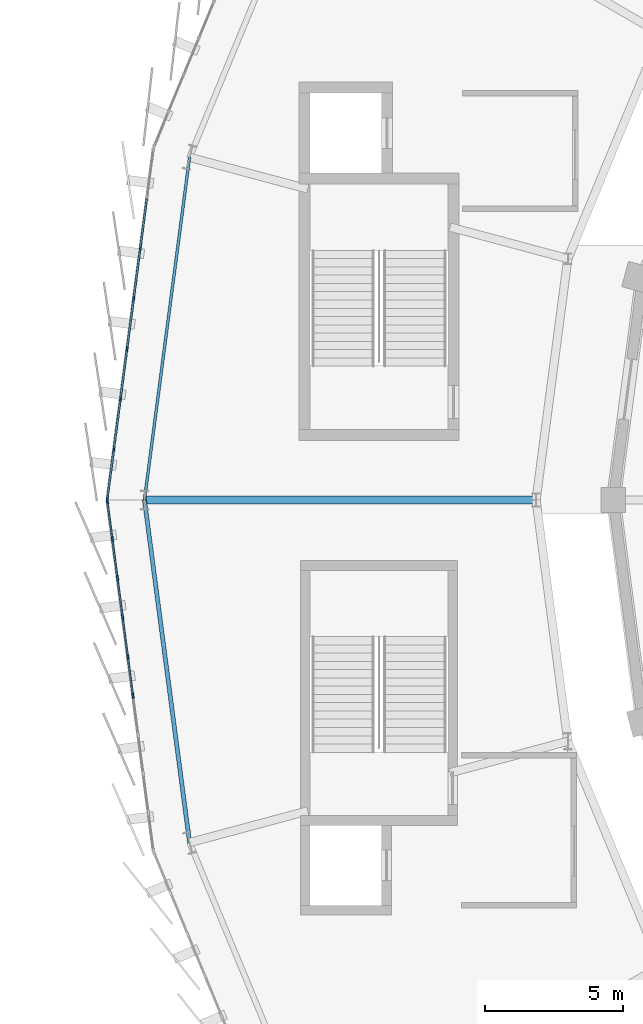
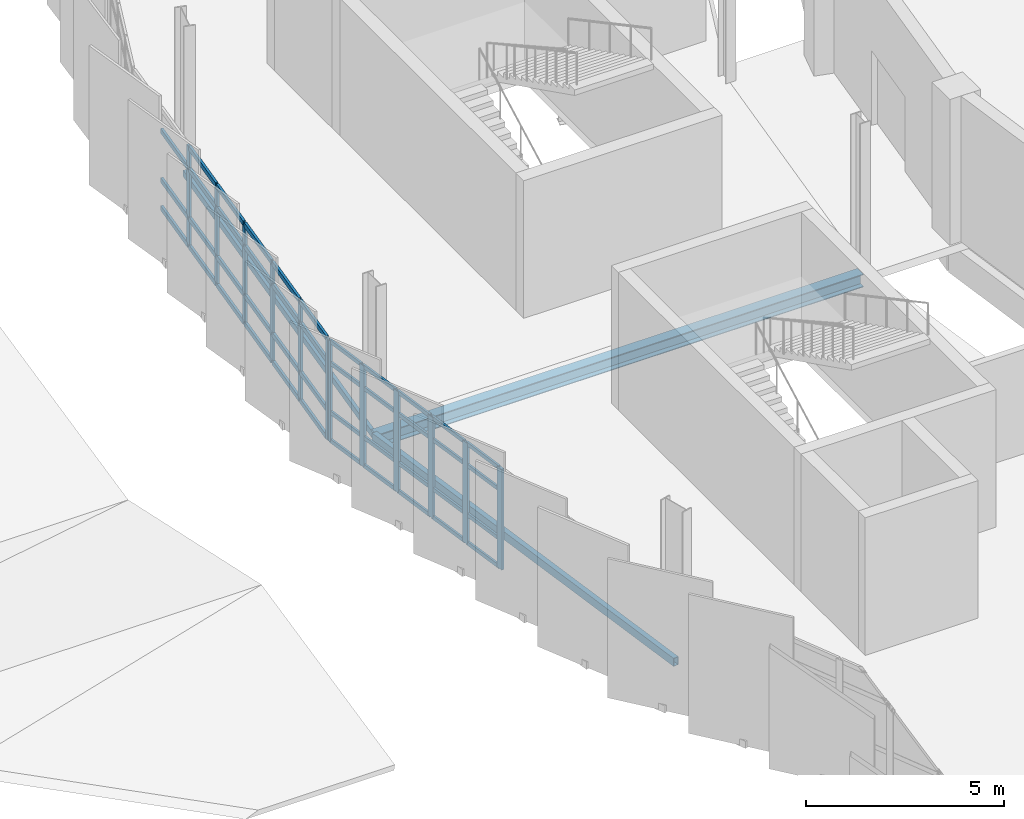
# One storey, part 27 of 87: 55 members, 3 beams, 2 elements without a shape of their own.
"""IFC4 building model written with IfcOpenShell, lengths in metres."""

import ifcopenshell
import ifcopenshell.guid

model = None  # the IFC model being written
_history = None  # IfcOwnerHistory: only IFC2X3 demands one
_inside = {}  # id of a spatial element -> (the spatial element, [elements in it])
_under = {}  # id of a project, library or spatial element -> (it, [spatial elements below it])
_declared = {}  # id of a project -> (the project, [libraries it declares])
_typed = {}  # id of a type object -> (the type object, [elements of that type])
_made_of = {}  # id of a material, layer set ... -> (it, [elements and type objects made of it])


def new_model(schema):
    """Start an empty IFC model of exactly this schema.

    Asked for "IFC4X3", IfcOpenShell would pick the latest addendum, in which some entities
    have other attributes; the version numbers below select the first issue.
    IFC2X3 requires an IfcOwnerHistory on every rooted entity: one is made here for all.
    """
    global model, _history
    if schema == "IFC4X3":
        model = ifcopenshell.file(schema_version=(4, 3, 0, 0))
    else:
        model = ifcopenshell.file(schema=schema)
    _inside.clear()
    _under.clear()
    _declared.clear()
    _typed.clear()
    _made_of.clear()
    _history = None
    if model.schema == "IFC2X3":
        org = make("IfcOrganization", Name="unknown")
        user = make(
            "IfcPersonAndOrganization",
            ThePerson=make("IfcPerson", FamilyName="unknown"),
            TheOrganization=org,
        )
        app = make(
            "IfcApplication",
            ApplicationDeveloper=org,
            Version="unknown",
            ApplicationFullName="unknown",
            ApplicationIdentifier="unknown",
        )
        _history = make(
            "IfcOwnerHistory",
            OwningUser=user,
            OwningApplication=app,
            ChangeAction="ADDED",
            CreationDate=0,
        )
    return model


def make(cls, **values):
    """One entity of the class cls with the attributes given. An attribute that is None is left unset."""
    return model.create_entity(
        cls, **{name: value for name, value in values.items() if value is not None}
    )


def rooted(cls, **values):
    """An entity with a GlobalId (a new one), such as an element, a storey or a relation."""
    return make(cls, GlobalId=ifcopenshell.guid.new(), OwnerHistory=_history, **values)


def si_unit(unit_type, name, prefix=None):
    """IfcSIUnit, for example si_unit("LENGTHUNIT", "METRE", prefix="MILLI")."""
    return make("IfcSIUnit", UnitType=unit_type, Prefix=prefix, Name=name)


def assignment(units):
    """IfcUnitAssignment: the units of a project."""
    return None if units is None else make("IfcUnitAssignment", Units=units)


def point(xyz):
    """IfcCartesianPoint."""
    return None if xyz is None else make("IfcCartesianPoint", Coordinates=xyz)


def direction(xyz):
    """IfcDirection."""
    return None if xyz is None else make("IfcDirection", DirectionRatios=xyz)


def frame(location, z_axis=None, x_axis=None):
    """IfcAxis2Placement3D, a coordinate frame: its origin and axes. An axis left out is left unset."""
    return make(
        "IfcAxis2Placement3D",
        Location=point(location),
        Axis=direction(z_axis),
        RefDirection=direction(x_axis),
    )


def frame_2d(location, x_axis=None):
    """IfcAxis2Placement2D, a coordinate frame in the plane: its origin and x axis."""
    return make(
        "IfcAxis2Placement2D", Location=point(location), RefDirection=direction(x_axis)
    )


def origin():
    """The frame at (0, 0, 0) with its axes left unset."""
    return frame((0.0, 0.0, 0.0))


def origin_2d():
    """The frame at (0, 0) in the plane with its x axis left unset."""
    return frame_2d((0.0, 0.0))


def place(relative_to, where):
    """IfcLocalPlacement: puts the frame where relative to a parent placement (None: the world)."""
    return make(
        "IfcLocalPlacement", PlacementRelTo=relative_to, RelativePlacement=where
    )


def context(
    kind, dimensions, precision=None, world=None, true_north=None, identifier=None
):
    """IfcGeometricRepresentationContext, for example the 3D "Model" context."""
    return make(
        "IfcGeometricRepresentationContext",
        ContextIdentifier=identifier,
        ContextType=kind,
        CoordinateSpaceDimension=dimensions,
        Precision=precision,
        WorldCoordinateSystem=world,
        TrueNorth=true_north,
    )


def subcontext(parent, identifier, kind, view, scale=None):
    """IfcGeometricRepresentationSubContext, for example "Body" below "Model"."""
    return make(
        "IfcGeometricRepresentationSubContext",
        ContextIdentifier=identifier,
        ContextType=kind,
        ParentContext=parent,
        TargetScale=scale,
        TargetView=view,
    )


def project(units=None, contexts=None):
    """IfcProject with its units and contexts."""
    return rooted(
        "IfcProject",
        Name="project",
        RepresentationContexts=contexts,
        UnitsInContext=assignment(units),
    )


def spatial(cls, under=None, at=None, **own):
    """A site, building, storey or space (cls), placed at a placement, below another one or the project."""
    s = rooted(cls, ObjectPlacement=at, **own)
    if under is not None:
        _under.setdefault(under.id(), (under, []))[1].append(s)
    return s


def profile(cls, at=None, kind="AREA", **sizes):
    """A parametric profile (cls). Its sizes go by their IFC names, for example OverallWidth=200.0."""
    return make(cls, ProfileType=kind, Position=at, **sizes)


def rectangle(**sizes):
    """IfcRectangleProfileDef."""
    return profile("IfcRectangleProfileDef", **sizes)


def hollow_rectangle(**sizes):
    """IfcRectangleHollowProfileDef."""
    return profile("IfcRectangleHollowProfileDef", **sizes)


def i_section(**sizes):
    """IfcIShapeProfileDef."""
    return profile("IfcIShapeProfileDef", **sizes)


def extrude(swept, where, along, depth):
    """IfcExtrudedAreaSolid: the profile swept, set in the frame where, extruded along a direction by depth."""
    return make(
        "IfcExtrudedAreaSolid",
        SweptArea=swept,
        Position=where,
        ExtrudedDirection=direction(along),
        Depth=depth,
    )


def shape(context_of_items, identifier, shape_type, items):
    """IfcShapeRepresentation: the items that make up one representation, for example the "Body"."""
    return make(
        "IfcShapeRepresentation",
        ContextOfItems=context_of_items,
        RepresentationIdentifier=identifier,
        RepresentationType=shape_type,
        Items=items,
    )


def material(Name=None, Category=None):
    """IfcMaterial."""
    return make("IfcMaterial", Name=Name, Category=Category)


def layer(
    of_material, thickness, ventilated=None, Name=None, Category=None, Priority=None
):
    """IfcMaterialLayer: one layer of a wall or slab, of a material (None: an air gap)."""
    return make(
        "IfcMaterialLayer",
        Material=of_material,
        LayerThickness=thickness,
        IsVentilated=ventilated,
        Name=Name,
        Category=Category,
        Priority=Priority,
    )


def layer_set(layers, Name=None):
    """IfcMaterialLayerSet."""
    return make("IfcMaterialLayerSet", MaterialLayers=layers, LayerSetName=Name)


def material_profile(
    of_material, cross_section, Name=None, Category=None, Priority=None
):
    """IfcMaterialProfile: a cross section and its material."""
    return make(
        "IfcMaterialProfile",
        Name=Name,
        Material=of_material,
        Profile=cross_section,
        Priority=Priority,
        Category=Category,
    )


def profile_set(profiles, Name=None, composite=None):
    """IfcMaterialProfileSet."""
    return make(
        "IfcMaterialProfileSet",
        Name=Name,
        MaterialProfiles=profiles,
        CompositeProfile=composite,
    )


def made_of(thing, what):
    """Note that an element or type object is made of a material, layer set ...; save() writes the relation."""
    if what is not None:
        _made_of.setdefault(what.id(), (what, []))[1].append(thing)
    return thing


def type_object(cls, material=None, **own):
    """A type object (cls), such as IfcWallType, which elements share."""
    return made_of(rooted(cls, **own), material)


def element(
    cls,
    number,
    at=None,
    inside=None,
    cuts=None,
    type_object=None,
    material=None,
    context=None,
    identifier="Body",
    shape_type=None,
    held_by="IfcProductDefinitionShape",
    body=None,
    shapes=None,
    **own,
):
    """One element of the class cls, such as IfcWall. Its Tag is "e" and its number.

    at: its placement. inside: the storey or other place that contains it. cuts: it is an
    opening in that element (IfcRelVoidsElement). A single representation is given by context,
    identifier, shape_type and body (its items); several are given by shapes. held_by: the class
    of the entity that holds the representations. save() writes the other relations.
    """
    e = rooted(cls, Tag="e%d" % number, ObjectPlacement=at, **own)
    if body is not None:
        shapes = [shape(context, identifier, shape_type, body)]
    if shapes is not None:
        e.Representation = make(held_by, Representations=shapes)
    if inside is not None:
        _inside.setdefault(inside.id(), (inside, []))[1].append(e)
    if cuts is not None:
        rooted(
            "IfcRelVoidsElement", RelatingBuildingElement=cuts, RelatedOpeningElement=e
        )
    if type_object is not None:
        _typed.setdefault(type_object.id(), (type_object, []))[1].append(e)
    return made_of(e, material)


def aggregate(whole, parts):
    """IfcRelAggregates: a whole, such as a stair, and the parts it consists of."""
    return rooted("IfcRelAggregates", RelatingObject=whole, RelatedObjects=parts)


def save(model, path):
    """Write the relations noted so far, then the file.

    IfcRelAggregates (storeys below a building ...), IfcRelContainedInSpatialStructure (elements
    in a storey), IfcRelDefinesByType, IfcRelAssociatesMaterial and IfcRelDeclares: one each for
    every whole, place, type object, material and project.
    """
    for whole, parts in _under.values():
        aggregate(whole, parts)
    for where, things in _inside.values():
        rooted(
            "IfcRelContainedInSpatialStructure",
            RelatedElements=things,
            RelatingStructure=where,
        )
    for kind, things in _typed.values():
        rooted("IfcRelDefinesByType", RelatedObjects=things, RelatingType=kind)
    for what, things in _made_of.values():
        rooted("IfcRelAssociatesMaterial", RelatedObjects=things, RelatingMaterial=what)
    for by, libraries in _declared.values():
        rooted("IfcRelDeclares", RelatingContext=by, RelatedDefinitions=libraries)
    model.write(path)


model = new_model("IFC4")

# Units and contexts
model_context = context("Model", 3, precision=1e-05, world=origin(), true_north=direction((0.0, 1.0)))
body_context = subcontext(model_context, "Body", "Model", "MODEL_VIEW")
ifc_project = project(units=[si_unit("LENGTHUNIT", "METRE"), si_unit("AREAUNIT", "SQUARE_METRE"), si_unit("VOLUMEUNIT", "CUBIC_METRE"), si_unit("PLANEANGLEUNIT", "RADIAN"), si_unit("MASSUNIT", "GRAM", prefix="KILO")], contexts=[model_context])

# Site, building, storey
site_placement = place(None, origin())
site = spatial("IfcSite", under=ifc_project, at=site_placement, CompositionType="ELEMENT")
building_placement = place(site_placement, origin())
building = spatial("IfcBuilding", under=site, at=building_placement, Name="Sohan Crest Arena", CompositionType="ELEMENT")
storey_placement = place(building_placement, frame((0.0, 0.0, 18.0)))
storey = spatial("IfcBuildingStorey", under=building, at=storey_placement, Name="L04", CompositionType="ELEMENT", Elevation=18.0)

# Curtain wall, members
ifc_material_1 = material(Name="Thermally broken anodised aluminium", Category="aluminium")
ifc_layer_1 = layer(ifc_material_1, 0.2099609375, Name="Thermally broken anodised aluminium")
ifc_layer_set_1 = layer_set([ifc_layer_1], Name="Thermally broken anodised aluminium")
curtain_wall_type_1 = type_object("IfcCurtainWallType", Name="ARC-CW06", PredefinedType="NOTDEFINED", material=ifc_layer_set_1)
curtain_wall_1_placement = place(storey_placement, origin())
curtain_wall_1 = element("IfcCurtainWall", 1, at=curtain_wall_1_placement, inside=storey, type_object=curtain_wall_type_1, Name="Unitised curtain wall CW-117", PredefinedType="NOTDEFINED")
ifc_material_profile_1 = material_profile(ifc_material_1, rectangle(XDim=0.06494140625, YDim=0.179931640625, at=origin_2d()), Name="ALU-MULL 65x180")
ifc_profile_set_1 = profile_set([ifc_material_profile_1], Name="Thermally broken anodised aluminium")
member_type_1 = type_object("IfcMemberType", Name="ARC-CW-ML02", PredefinedType="MULLION", material=ifc_profile_set_1)
member_1_placement = place(storey_placement, frame((49.851318359375, 87.12353515625, 0.0), z_axis=(0.0, 0.0, 1.0), x_axis=(0.991440816386, -0.130556913275, 0.0)))
member_1 = element("IfcMember", 2, at=member_1_placement, type_object=member_type_1, Name="CW-117 mullion 3", PredefinedType="MULLION", context=body_context, shape_type="SweptSolid", body=[
    extrude(rectangle(XDim=0.06494140625, YDim=0.179931640625, at=origin_2d()), origin(), (0.0, 0.0, 1.0), 3.1201171875),
])
member_2_placement = place(storey_placement, frame((49.611083984375, 85.298828125, 0.0), z_axis=(0.0, 0.0, 1.0), x_axis=(0.991440816386, -0.130556913275, 0.0)))
member_2 = element("IfcMember", 3, at=member_2_placement, type_object=member_type_1, Name="CW-117 mullion 4", PredefinedType="MULLION", context=body_context, shape_type="SweptSolid", body=[
    extrude(rectangle(XDim=0.06494140625, YDim=0.179931640625, at=origin_2d()), origin(), (0.0, 0.0, 1.0), 3.1201171875),
])
member_3_placement = place(storey_placement, frame((49.370849609375, 83.47412109375, 0.0), z_axis=(0.0, 0.0, 1.0), x_axis=(0.991440816386, -0.130556913275, 0.0)))
member_3 = element("IfcMember", 4, at=member_3_placement, type_object=member_type_1, Name="CW-117 mullion 5", PredefinedType="MULLION", context=body_context, shape_type="SweptSolid", body=[
    extrude(rectangle(XDim=0.06494140625, YDim=0.179931640625, at=origin_2d()), origin(), (0.0, 0.0, 1.0), 3.1201171875),
])
member_4_placement = place(storey_placement, frame((49.130615234375, 81.6494140625, 0.0), z_axis=(0.0, 0.0, 1.0), x_axis=(0.991440816386, -0.130556913275, 0.0)))
member_4 = element("IfcMember", 5, at=member_4_placement, type_object=member_type_1, Name="CW-117 mullion 6", PredefinedType="MULLION", context=body_context, shape_type="SweptSolid", body=[
    extrude(rectangle(XDim=0.06494140625, YDim=0.179931640625, at=origin_2d()), origin(), (0.0, 0.0, 1.0), 3.1201171875),
])
member_5_placement = place(storey_placement, frame((48.890380859375, 79.82470703125, 0.0), z_axis=(0.0, 0.0, 1.0), x_axis=(0.991440816386, -0.130556913275, 0.0)))
member_5 = element("IfcMember", 6, at=member_5_placement, type_object=member_type_1, Name="CW-117 mullion 7", PredefinedType="MULLION", context=body_context, shape_type="SweptSolid", body=[
    extrude(rectangle(XDim=0.06494140625, YDim=0.179931640625, at=origin_2d()), origin(), (0.0, 0.0, 1.0), 3.1201171875),
])
member_6_placement = place(storey_placement, frame((48.654296875, 78.0322265625, 0.0), z_axis=(0.0, 0.0, 1.0), x_axis=(0.991440816386, -0.130556913275, 0.0)))
member_6 = element("IfcMember", 7, at=member_6_placement, type_object=member_type_1, Name="CW-117 mullion 8", PredefinedType="MULLION", context=body_context, shape_type="SweptSolid", body=[
    extrude(rectangle(XDim=0.06494140625, YDim=0.179931640625, at=origin_2d()), origin(), (0.0, 0.0, 1.0), 3.1201171875),
])

ifc_layer_2 = layer(ifc_material_1, 0.179931640625, Name="Thermally broken anodised aluminium")
ifc_layer_set_2 = layer_set([ifc_layer_2], Name="Thermally broken anodised aluminium")
curtain_wall_type_2 = type_object("IfcCurtainWallType", Name="ARC-CW01", PredefinedType="NOTDEFINED", material=ifc_layer_set_2)
curtain_wall_2_placement = place(storey_placement, origin())
curtain_wall_2 = element("IfcCurtainWall", 8, at=curtain_wall_2_placement, inside=storey, type_object=curtain_wall_type_2, Name="Unitised curtain wall CW-118", PredefinedType="NOTDEFINED")
ifc_material_profile_2 = material_profile(ifc_material_1, rectangle(XDim=0.070068359375, YDim=0.199951171875, at=origin_2d()), Name="ALU-MULL 70x200")
ifc_profile_set_2 = profile_set([ifc_material_profile_2], Name="Thermally broken anodised aluminium")
member_type_2 = type_object("IfcMemberType", Name="ARC-CW-ML03", PredefinedType="MULLION", material=ifc_profile_set_2)
member_7_placement = place(storey_placement, frame((48.654541015625, 77.96533203125, 0.0), z_axis=(0.0, 0.0, 1.0), x_axis=(0.991440816386, 0.130556913275, 0.0)))
member_7 = element("IfcMember", 9, at=member_7_placement, type_object=member_type_2, Name="CW-118 mullion 1", PredefinedType="MULLION", context=body_context, shape_type="SweptSolid", body=[
    extrude(rectangle(XDim=0.070068359375, YDim=0.199951171875, at=origin_2d()), origin(), (0.0, 0.0, 1.0), 3.1201171875),
])
member_8_placement = place(storey_placement, frame((48.8369140625, 76.580810546875, 0.0), z_axis=(0.0, 0.0, 1.0), x_axis=(0.991440816386, 0.130556913275, 0.0)))
member_8 = element("IfcMember", 10, at=member_8_placement, type_object=member_type_2, Name="CW-118 mullion 2", PredefinedType="MULLION", context=body_context, shape_type="SweptSolid", body=[
    extrude(rectangle(XDim=0.070068359375, YDim=0.199951171875, at=origin_2d()), origin(), (0.0, 0.0, 1.0), 3.1201171875),
])
member_9_placement = place(storey_placement, frame((49.023681640625, 75.16162109375, 0.0), z_axis=(0.0, 0.0, 1.0), x_axis=(0.991440816386, 0.130556913275, 0.0)))
member_9 = element("IfcMember", 11, at=member_9_placement, type_object=member_type_2, Name="CW-118 mullion 3", PredefinedType="MULLION", context=body_context, shape_type="SweptSolid", body=[
    extrude(rectangle(XDim=0.070068359375, YDim=0.199951171875, at=origin_2d()), origin(), (0.0, 0.0, 1.0), 3.1201171875),
])
member_10_placement = place(storey_placement, frame((49.210693359375, 73.742431640625, 0.0), z_axis=(0.0, 0.0, 1.0), x_axis=(0.991440816386, 0.130556913275, 0.0)))
member_10 = element("IfcMember", 12, at=member_10_placement, type_object=member_type_2, Name="CW-118 mullion 4", PredefinedType="MULLION", context=body_context, shape_type="SweptSolid", body=[
    extrude(rectangle(XDim=0.070068359375, YDim=0.199951171875, at=origin_2d()), origin(), (0.0, 0.0, 1.0), 3.1201171875),
])
member_11_placement = place(storey_placement, frame((49.3974609375, 72.322998046875, 0.0), z_axis=(0.0, 0.0, 1.0), x_axis=(0.991440816386, 0.130556913275, 0.0)))
member_11 = element("IfcMember", 13, at=member_11_placement, type_object=member_type_2, Name="CW-118 mullion 5", PredefinedType="MULLION", context=body_context, shape_type="SweptSolid", body=[
    extrude(rectangle(XDim=0.070068359375, YDim=0.199951171875, at=origin_2d()), origin(), (0.0, 0.0, 1.0), 3.1201171875),
])
member_12_placement = place(storey_placement, frame((49.58447265625, 70.90380859375, 0.0), z_axis=(0.0, 0.0, 1.0), x_axis=(0.991440816386, 0.130556913275, 0.0)))
member_12 = element("IfcMember", 14, at=member_12_placement, type_object=member_type_2, Name="CW-118 mullion 6", PredefinedType="MULLION", context=body_context, shape_type="SweptSolid", body=[
    extrude(rectangle(XDim=0.070068359375, YDim=0.199951171875, at=origin_2d()), origin(), (0.0, 0.0, 1.0), 3.1201171875),
])
ifc_material_profile_3 = material_profile(ifc_material_1, rectangle(XDim=0.06005859375, YDim=0.1201171875, at=origin_2d()), Name="ALU-TRAN 60x120")
ifc_profile_set_3 = profile_set([ifc_material_profile_3], Name="Thermally broken anodised aluminium")
member_type_3 = type_object("IfcMemberType", Name="ARC-CW-TR01", PredefinedType="USERDEFINED", material=ifc_profile_set_3)
member_13_placement = place(storey_placement, frame((48.6591796875, 77.9306640625, 0.030029296875), z_axis=(0.130487838532, -0.991449909978, 0.0), x_axis=(0.991449909978, 0.130487838532, 0.0)))
member_13 = element("IfcMember", 15, at=member_13_placement, type_object=member_type_3, Name="CW-118 transom 1.1", ObjectType="TRANSOM", PredefinedType="USERDEFINED", context=body_context, shape_type="SweptSolid", body=[
    extrude(rectangle(XDim=0.06005859375, YDim=0.1201171875, at=origin_2d()), origin(), (0.0, 0.0, 1.0), 1.326416015625),
])
member_14_placement = place(storey_placement, frame((48.6591796875, 77.9306640625, 0.89990234375), z_axis=(0.130487838532, -0.991449909978, 0.0), x_axis=(0.991449909978, 0.130487838532, 0.0)))
member_14 = element("IfcMember", 16, at=member_14_placement, type_object=member_type_3, Name="CW-118 transom 1.2", ObjectType="TRANSOM", PredefinedType="USERDEFINED", context=body_context, shape_type="SweptSolid", body=[
    extrude(rectangle(XDim=0.06005859375, YDim=0.1201171875, at=origin_2d()), origin(), (0.0, 0.0, 1.0), 1.326416015625),
])
member_15_placement = place(storey_placement, frame((48.6591796875, 77.9306640625, 2.419921875), z_axis=(0.130487838532, -0.991449909978, 0.0), x_axis=(0.991449909978, 0.130487838532, 0.0)))
member_15 = element("IfcMember", 17, at=member_15_placement, type_object=member_type_3, Name="CW-118 transom 1.3", ObjectType="TRANSOM", PredefinedType="USERDEFINED", context=body_context, shape_type="SweptSolid", body=[
    extrude(rectangle(XDim=0.06005859375, YDim=0.1201171875, at=origin_2d()), origin(), (0.0, 0.0, 1.0), 1.326416015625),
])
member_16_placement = place(storey_placement, frame((48.6591796875, 77.9306640625, 3.090087890625), z_axis=(0.130487838532, -0.991449909978, 0.0), x_axis=(0.991449909978, 0.130487838532, 0.0)))
member_16 = element("IfcMember", 18, at=member_16_placement, type_object=member_type_3, Name="CW-118 transom 1.4", ObjectType="TRANSOM", PredefinedType="USERDEFINED", context=body_context, shape_type="SweptSolid", body=[
    extrude(rectangle(XDim=0.06005859375, YDim=0.1201171875, at=origin_2d()), origin(), (0.0, 0.0, 1.0), 1.326416015625),
])
member_17_placement = place(storey_placement, frame((48.841552734375, 76.546142578125, 0.030029296875), z_axis=(0.130542644625, -0.991442695235, 0.0), x_axis=(0.991442695235, 0.130542644625, 0.0)))
member_17 = element("IfcMember", 19, at=member_17_placement, type_object=member_type_3, Name="CW-118 transom 2.1", ObjectType="TRANSOM", PredefinedType="USERDEFINED", context=body_context, shape_type="SweptSolid", body=[
    extrude(rectangle(XDim=0.06005859375, YDim=0.1201171875, at=origin_2d()), origin(), (0.0, 0.0, 1.0), 1.361572265625),
])
member_18_placement = place(storey_placement, frame((48.841552734375, 76.546142578125, 0.89990234375), z_axis=(0.130542644625, -0.991442695235, 0.0), x_axis=(0.991442695235, 0.130542644625, 0.0)))
member_18 = element("IfcMember", 20, at=member_18_placement, type_object=member_type_3, Name="CW-118 transom 2.2", ObjectType="TRANSOM", PredefinedType="USERDEFINED", context=body_context, shape_type="SweptSolid", body=[
    extrude(rectangle(XDim=0.06005859375, YDim=0.1201171875, at=origin_2d()), origin(), (0.0, 0.0, 1.0), 1.361572265625),
])
member_19_placement = place(storey_placement, frame((48.841552734375, 76.546142578125, 2.419921875), z_axis=(0.130542644625, -0.991442695235, 0.0), x_axis=(0.991442695235, 0.130542644625, 0.0)))
member_19 = element("IfcMember", 21, at=member_19_placement, type_object=member_type_3, Name="CW-118 transom 2.3", ObjectType="TRANSOM", PredefinedType="USERDEFINED", context=body_context, shape_type="SweptSolid", body=[
    extrude(rectangle(XDim=0.06005859375, YDim=0.1201171875, at=origin_2d()), origin(), (0.0, 0.0, 1.0), 1.361572265625),
])
member_20_placement = place(storey_placement, frame((48.841552734375, 76.546142578125, 3.090087890625), z_axis=(0.130542644625, -0.991442695235, 0.0), x_axis=(0.991442695235, 0.130542644625, 0.0)))
member_20 = element("IfcMember", 22, at=member_20_placement, type_object=member_type_3, Name="CW-118 transom 2.4", ObjectType="TRANSOM", PredefinedType="USERDEFINED", context=body_context, shape_type="SweptSolid", body=[
    extrude(rectangle(XDim=0.06005859375, YDim=0.1201171875, at=origin_2d()), origin(), (0.0, 0.0, 1.0), 1.361572265625),
])
member_21_placement = place(storey_placement, frame((49.0283203125, 75.126953125, 0.030029296875), z_axis=(0.130542644625, -0.991442695235, 0.0), x_axis=(0.991442695235, 0.130542644625, 0.0)))
member_21 = element("IfcMember", 23, at=member_21_placement, type_object=member_type_3, Name="CW-118 transom 3.1", ObjectType="TRANSOM", PredefinedType="USERDEFINED", context=body_context, shape_type="SweptSolid", body=[
    extrude(rectangle(XDim=0.06005859375, YDim=0.1201171875, at=origin_2d()), origin(), (0.0, 0.0, 1.0), 1.361572265625),
])
member_22_placement = place(storey_placement, frame((49.0283203125, 75.126953125, 0.89990234375), z_axis=(0.130542644625, -0.991442695235, 0.0), x_axis=(0.991442695235, 0.130542644625, 0.0)))
member_22 = element("IfcMember", 24, at=member_22_placement, type_object=member_type_3, Name="CW-118 transom 3.2", ObjectType="TRANSOM", PredefinedType="USERDEFINED", context=body_context, shape_type="SweptSolid", body=[
    extrude(rectangle(XDim=0.06005859375, YDim=0.1201171875, at=origin_2d()), origin(), (0.0, 0.0, 1.0), 1.361572265625),
])
member_23_placement = place(storey_placement, frame((49.0283203125, 75.126953125, 2.419921875), z_axis=(0.130542644625, -0.991442695235, 0.0), x_axis=(0.991442695235, 0.130542644625, 0.0)))
member_23 = element("IfcMember", 25, at=member_23_placement, type_object=member_type_3, Name="CW-118 transom 3.3", ObjectType="TRANSOM", PredefinedType="USERDEFINED", context=body_context, shape_type="SweptSolid", body=[
    extrude(rectangle(XDim=0.06005859375, YDim=0.1201171875, at=origin_2d()), origin(), (0.0, 0.0, 1.0), 1.361572265625),
])
member_24_placement = place(storey_placement, frame((49.0283203125, 75.126953125, 3.090087890625), z_axis=(0.130542644625, -0.991442695235, 0.0), x_axis=(0.991442695235, 0.130542644625, 0.0)))
member_24 = element("IfcMember", 26, at=member_24_placement, type_object=member_type_3, Name="CW-118 transom 3.4", ObjectType="TRANSOM", PredefinedType="USERDEFINED", context=body_context, shape_type="SweptSolid", body=[
    extrude(rectangle(XDim=0.06005859375, YDim=0.1201171875, at=origin_2d()), origin(), (0.0, 0.0, 1.0), 1.361572265625),
])
member_25_placement = place(storey_placement, frame((49.21533203125, 73.70751953125, 0.030029296875), z_axis=(0.130565856894, -0.991439638613, 0.0), x_axis=(0.991439638613, 0.130565856894, 0.0)))
member_25 = element("IfcMember", 27, at=member_25_placement, type_object=member_type_3, Name="CW-118 transom 4.1", ObjectType="TRANSOM", PredefinedType="USERDEFINED", context=body_context, shape_type="SweptSolid", body=[
    extrude(rectangle(XDim=0.06005859375, YDim=0.1201171875, at=origin_2d()), origin(), (0.0, 0.0, 1.0), 1.361328125),
])
member_26_placement = place(storey_placement, frame((49.21533203125, 73.70751953125, 0.89990234375), z_axis=(0.130565856894, -0.991439638613, 0.0), x_axis=(0.991439638613, 0.130565856894, 0.0)))
member_26 = element("IfcMember", 28, at=member_26_placement, type_object=member_type_3, Name="CW-118 transom 4.2", ObjectType="TRANSOM", PredefinedType="USERDEFINED", context=body_context, shape_type="SweptSolid", body=[
    extrude(rectangle(XDim=0.06005859375, YDim=0.1201171875, at=origin_2d()), origin(), (0.0, 0.0, 1.0), 1.361328125),
])
member_27_placement = place(storey_placement, frame((49.21533203125, 73.70751953125, 2.419921875), z_axis=(0.130565856894, -0.991439638613, 0.0), x_axis=(0.991439638613, 0.130565856894, 0.0)))
member_27 = element("IfcMember", 29, at=member_27_placement, type_object=member_type_3, Name="CW-118 transom 4.3", ObjectType="TRANSOM", PredefinedType="USERDEFINED", context=body_context, shape_type="SweptSolid", body=[
    extrude(rectangle(XDim=0.06005859375, YDim=0.1201171875, at=origin_2d()), origin(), (0.0, 0.0, 1.0), 1.361328125),
])
member_28_placement = place(storey_placement, frame((49.21533203125, 73.70751953125, 3.090087890625), z_axis=(0.130565856894, -0.991439638613, 0.0), x_axis=(0.991439638613, 0.130565856894, 0.0)))
member_28 = element("IfcMember", 30, at=member_28_placement, type_object=member_type_3, Name="CW-118 transom 4.4", ObjectType="TRANSOM", PredefinedType="USERDEFINED", context=body_context, shape_type="SweptSolid", body=[
    extrude(rectangle(XDim=0.06005859375, YDim=0.1201171875, at=origin_2d()), origin(), (0.0, 0.0, 1.0), 1.361328125),
])
member_29_placement = place(storey_placement, frame((49.402099609375, 72.288330078125, 0.030029296875), z_axis=(0.130542644625, -0.991442695235, 0.0), x_axis=(0.991442695235, 0.130542644625, 0.0)))
member_29 = element("IfcMember", 31, at=member_29_placement, type_object=member_type_3, Name="CW-118 transom 5.1", ObjectType="TRANSOM", PredefinedType="USERDEFINED", context=body_context, shape_type="SweptSolid", body=[
    extrude(rectangle(XDim=0.06005859375, YDim=0.1201171875, at=origin_2d()), origin(), (0.0, 0.0, 1.0), 1.361572265625),
])
member_30_placement = place(storey_placement, frame((49.402099609375, 72.288330078125, 0.89990234375), z_axis=(0.130542644625, -0.991442695235, 0.0), x_axis=(0.991442695235, 0.130542644625, 0.0)))
member_30 = element("IfcMember", 32, at=member_30_placement, type_object=member_type_3, Name="CW-118 transom 5.2", ObjectType="TRANSOM", PredefinedType="USERDEFINED", context=body_context, shape_type="SweptSolid", body=[
    extrude(rectangle(XDim=0.06005859375, YDim=0.1201171875, at=origin_2d()), origin(), (0.0, 0.0, 1.0), 1.361572265625),
])
member_31_placement = place(storey_placement, frame((49.402099609375, 72.288330078125, 2.419921875), z_axis=(0.130542644625, -0.991442695235, 0.0), x_axis=(0.991442695235, 0.130542644625, 0.0)))
member_31 = element("IfcMember", 33, at=member_31_placement, type_object=member_type_3, Name="CW-118 transom 5.3", ObjectType="TRANSOM", PredefinedType="USERDEFINED", context=body_context, shape_type="SweptSolid", body=[
    extrude(rectangle(XDim=0.06005859375, YDim=0.1201171875, at=origin_2d()), origin(), (0.0, 0.0, 1.0), 1.361572265625),
])
member_32_placement = place(storey_placement, frame((49.402099609375, 72.288330078125, 3.090087890625), z_axis=(0.130542644625, -0.991442695235, 0.0), x_axis=(0.991442695235, 0.130542644625, 0.0)))
member_32 = element("IfcMember", 34, at=member_32_placement, type_object=member_type_3, Name="CW-118 transom 5.4", ObjectType="TRANSOM", PredefinedType="USERDEFINED", context=body_context, shape_type="SweptSolid", body=[
    extrude(rectangle(XDim=0.06005859375, YDim=0.1201171875, at=origin_2d()), origin(), (0.0, 0.0, 1.0), 1.361572265625),
])
aggregate(curtain_wall_2, [member_7, member_8, member_9, member_10, member_11, member_12, member_13, member_14, member_15, member_16, member_17, member_18, member_19, member_20, member_21, member_22, member_23, member_24, member_25, member_26, member_27, member_28, member_29, member_30, member_31, member_32])

# Member
ifc_material_profile_4 = material_profile(ifc_material_1, rectangle(XDim=0.070068359375, YDim=0.14990234375, at=origin_2d()), Name="ALU-TRAN 70x150")
ifc_profile_set_4 = profile_set([ifc_material_profile_4], Name="Thermally broken anodised aluminium")
member_type_4 = type_object("IfcMemberType", Name="ARC-CW-TR03", PredefinedType="USERDEFINED", material=ifc_profile_set_4)
member_33_placement = place(storey_placement, frame((50.08740234375, 88.916015625, 0.034912109375), z_axis=(-0.130497197719, -0.991448678141, 0.0), x_axis=(0.991448678141, -0.130497197719, 0.0)))
member_33 = element("IfcMember", 35, at=member_33_placement, type_object=member_type_4, Name="CW-117 transom 2.1", ObjectType="TRANSOM", PredefinedType="USERDEFINED", context=body_context, shape_type="SweptSolid", body=[
    extrude(rectangle(XDim=0.070068359375, YDim=0.14990234375, at=origin_2d()), origin(), (0.0, 0.0, 1.0), 1.775390625),
])

member_34_placement = place(storey_placement, frame((50.08740234375, 88.916015625, 0.89990234375), z_axis=(-0.130497197719, -0.991448678141, 0.0), x_axis=(0.991448678141, -0.130497197719, 0.0)))
member_34 = element("IfcMember", 36, at=member_34_placement, type_object=member_type_4, Name="CW-117 transom 2.2", ObjectType="TRANSOM", PredefinedType="USERDEFINED", context=body_context, shape_type="SweptSolid", body=[
    extrude(rectangle(XDim=0.070068359375, YDim=0.14990234375, at=origin_2d()), origin(), (0.0, 0.0, 1.0), 1.775390625),
])

member_35_placement = place(storey_placement, frame((50.08740234375, 88.916015625, 2.419921875), z_axis=(-0.130497197719, -0.991448678141, 0.0), x_axis=(0.991448678141, -0.130497197719, 0.0)))
member_35 = element("IfcMember", 37, at=member_35_placement, type_object=member_type_4, Name="CW-117 transom 2.3", ObjectType="TRANSOM", PredefinedType="USERDEFINED", context=body_context, shape_type="SweptSolid", body=[
    extrude(rectangle(XDim=0.070068359375, YDim=0.14990234375, at=origin_2d()), origin(), (0.0, 0.0, 1.0), 1.775390625),
])

member_36_placement = place(storey_placement, frame((49.84716796875, 87.09130859375, 0.034912109375), z_axis=(-0.130497197719, -0.991448678141, 0.0), x_axis=(0.991448678141, -0.130497197719, 0.0)))
member_36 = element("IfcMember", 38, at=member_36_placement, type_object=member_type_4, Name="CW-117 transom 3.1", ObjectType="TRANSOM", PredefinedType="USERDEFINED", context=body_context, shape_type="SweptSolid", body=[
    extrude(rectangle(XDim=0.070068359375, YDim=0.14990234375, at=origin_2d()), origin(), (0.0, 0.0, 1.0), 1.775390625),
])

member_37_placement = place(storey_placement, frame((49.84716796875, 87.09130859375, 0.89990234375), z_axis=(-0.130497197719, -0.991448678141, 0.0), x_axis=(0.991448678141, -0.130497197719, 0.0)))
member_37 = element("IfcMember", 39, at=member_37_placement, type_object=member_type_4, Name="CW-117 transom 3.2", ObjectType="TRANSOM", PredefinedType="USERDEFINED", context=body_context, shape_type="SweptSolid", body=[
    extrude(rectangle(XDim=0.070068359375, YDim=0.14990234375, at=origin_2d()), origin(), (0.0, 0.0, 1.0), 1.775390625),
])

member_38_placement = place(storey_placement, frame((49.84716796875, 87.09130859375, 2.419921875), z_axis=(-0.130497197719, -0.991448678141, 0.0), x_axis=(0.991448678141, -0.130497197719, 0.0)))
member_38 = element("IfcMember", 40, at=member_38_placement, type_object=member_type_4, Name="CW-117 transom 3.3", ObjectType="TRANSOM", PredefinedType="USERDEFINED", context=body_context, shape_type="SweptSolid", body=[
    extrude(rectangle(XDim=0.070068359375, YDim=0.14990234375, at=origin_2d()), origin(), (0.0, 0.0, 1.0), 1.775390625),
])

member_39_placement = place(storey_placement, frame((49.84716796875, 87.09130859375, 3.0849609375), z_axis=(-0.130497197719, -0.991448678141, 0.0), x_axis=(0.991448678141, -0.130497197719, 0.0)))
member_39 = element("IfcMember", 41, at=member_39_placement, type_object=member_type_4, Name="CW-117 transom 3.4", ObjectType="TRANSOM", PredefinedType="USERDEFINED", context=body_context, shape_type="SweptSolid", body=[
    extrude(rectangle(XDim=0.070068359375, YDim=0.14990234375, at=origin_2d()), origin(), (0.0, 0.0, 1.0), 1.775390625),
])

member_40_placement = place(storey_placement, frame((49.60693359375, 85.2666015625, 0.034912109375), z_axis=(-0.130632362566, -0.991430877999, 0.0), x_axis=(0.991430877999, -0.130632362566, 0.0)))
member_40 = element("IfcMember", 42, at=member_40_placement, type_object=member_type_4, Name="CW-117 transom 4.1", ObjectType="TRANSOM", PredefinedType="USERDEFINED", context=body_context, shape_type="SweptSolid", body=[
    extrude(rectangle(XDim=0.070068359375, YDim=0.14990234375, at=origin_2d()), origin(), (0.0, 0.0, 1.0), 1.775390625),
])

member_41_placement = place(storey_placement, frame((49.60693359375, 85.2666015625, 0.89990234375), z_axis=(-0.130632362566, -0.991430877999, 0.0), x_axis=(0.991430877999, -0.130632362566, 0.0)))
member_41 = element("IfcMember", 43, at=member_41_placement, type_object=member_type_4, Name="CW-117 transom 4.2", ObjectType="TRANSOM", PredefinedType="USERDEFINED", context=body_context, shape_type="SweptSolid", body=[
    extrude(rectangle(XDim=0.070068359375, YDim=0.14990234375, at=origin_2d()), origin(), (0.0, 0.0, 1.0), 1.775390625),
])

member_42_placement = place(storey_placement, frame((49.60693359375, 85.2666015625, 2.419921875), z_axis=(-0.130632362566, -0.991430877999, 0.0), x_axis=(0.991430877999, -0.130632362566, 0.0)))
member_42 = element("IfcMember", 44, at=member_42_placement, type_object=member_type_4, Name="CW-117 transom 4.3", ObjectType="TRANSOM", PredefinedType="USERDEFINED", context=body_context, shape_type="SweptSolid", body=[
    extrude(rectangle(XDim=0.070068359375, YDim=0.14990234375, at=origin_2d()), origin(), (0.0, 0.0, 1.0), 1.775390625),
])

member_43_placement = place(storey_placement, frame((49.60693359375, 85.2666015625, 3.0849609375), z_axis=(-0.130632362566, -0.991430877999, 0.0), x_axis=(0.991430877999, -0.130632362566, 0.0)))
member_43 = element("IfcMember", 45, at=member_43_placement, type_object=member_type_4, Name="CW-117 transom 4.4", ObjectType="TRANSOM", PredefinedType="USERDEFINED", context=body_context, shape_type="SweptSolid", body=[
    extrude(rectangle(XDim=0.070068359375, YDim=0.14990234375, at=origin_2d()), origin(), (0.0, 0.0, 1.0), 1.775390625),
])

member_44_placement = place(storey_placement, frame((49.36669921875, 83.44189453125, 0.034912109375), z_axis=(-0.130632362566, -0.991430877999, 0.0), x_axis=(0.991430877999, -0.130632362566, 0.0)))
member_44 = element("IfcMember", 46, at=member_44_placement, type_object=member_type_4, Name="CW-117 transom 5.1", ObjectType="TRANSOM", PredefinedType="USERDEFINED", context=body_context, shape_type="SweptSolid", body=[
    extrude(rectangle(XDim=0.070068359375, YDim=0.14990234375, at=origin_2d()), origin(), (0.0, 0.0, 1.0), 1.775390625),
])

member_45_placement = place(storey_placement, frame((49.36669921875, 83.44189453125, 0.89990234375), z_axis=(-0.130632362566, -0.991430877999, 0.0), x_axis=(0.991430877999, -0.130632362566, 0.0)))
member_45 = element("IfcMember", 47, at=member_45_placement, type_object=member_type_4, Name="CW-117 transom 5.2", ObjectType="TRANSOM", PredefinedType="USERDEFINED", context=body_context, shape_type="SweptSolid", body=[
    extrude(rectangle(XDim=0.070068359375, YDim=0.14990234375, at=origin_2d()), origin(), (0.0, 0.0, 1.0), 1.775390625),
])

member_46_placement = place(storey_placement, frame((49.36669921875, 83.44189453125, 2.419921875), z_axis=(-0.130632362566, -0.991430877999, 0.0), x_axis=(0.991430877999, -0.130632362566, 0.0)))
member_46 = element("IfcMember", 48, at=member_46_placement, type_object=member_type_4, Name="CW-117 transom 5.3", ObjectType="TRANSOM", PredefinedType="USERDEFINED", context=body_context, shape_type="SweptSolid", body=[
    extrude(rectangle(XDim=0.070068359375, YDim=0.14990234375, at=origin_2d()), origin(), (0.0, 0.0, 1.0), 1.775390625),
])

member_47_placement = place(storey_placement, frame((49.36669921875, 83.44189453125, 3.0849609375), z_axis=(-0.130632362566, -0.991430877999, 0.0), x_axis=(0.991430877999, -0.130632362566, 0.0)))
member_47 = element("IfcMember", 49, at=member_47_placement, type_object=member_type_4, Name="CW-117 transom 5.4", ObjectType="TRANSOM", PredefinedType="USERDEFINED", context=body_context, shape_type="SweptSolid", body=[
    extrude(rectangle(XDim=0.070068359375, YDim=0.14990234375, at=origin_2d()), origin(), (0.0, 0.0, 1.0), 1.775390625),
])

member_48_placement = place(storey_placement, frame((49.126220703125, 81.6171875, 0.034912109375), z_axis=(-0.130497197719, -0.991448678141, 0.0), x_axis=(0.991448678141, -0.130497197719, 0.0)))
member_48 = element("IfcMember", 50, at=member_48_placement, type_object=member_type_4, Name="CW-117 transom 6.1", ObjectType="TRANSOM", PredefinedType="USERDEFINED", context=body_context, shape_type="SweptSolid", body=[
    extrude(rectangle(XDim=0.070068359375, YDim=0.14990234375, at=origin_2d()), origin(), (0.0, 0.0, 1.0), 1.775390625),
])

member_49_placement = place(storey_placement, frame((49.126220703125, 81.6171875, 0.89990234375), z_axis=(-0.130497197719, -0.991448678141, 0.0), x_axis=(0.991448678141, -0.130497197719, 0.0)))
member_49 = element("IfcMember", 51, at=member_49_placement, type_object=member_type_4, Name="CW-117 transom 6.2", ObjectType="TRANSOM", PredefinedType="USERDEFINED", context=body_context, shape_type="SweptSolid", body=[
    extrude(rectangle(XDim=0.070068359375, YDim=0.14990234375, at=origin_2d()), origin(), (0.0, 0.0, 1.0), 1.775390625),
])

member_50_placement = place(storey_placement, frame((49.126220703125, 81.6171875, 2.419921875), z_axis=(-0.130497197719, -0.991448678141, 0.0), x_axis=(0.991448678141, -0.130497197719, 0.0)))
member_50 = element("IfcMember", 52, at=member_50_placement, type_object=member_type_4, Name="CW-117 transom 6.3", ObjectType="TRANSOM", PredefinedType="USERDEFINED", context=body_context, shape_type="SweptSolid", body=[
    extrude(rectangle(XDim=0.070068359375, YDim=0.14990234375, at=origin_2d()), origin(), (0.0, 0.0, 1.0), 1.775390625),
])

member_51_placement = place(storey_placement, frame((49.126220703125, 81.6171875, 3.0849609375), z_axis=(-0.130497197719, -0.991448678141, 0.0), x_axis=(0.991448678141, -0.130497197719, 0.0)))
member_51 = element("IfcMember", 53, at=member_51_placement, type_object=member_type_4, Name="CW-117 transom 6.4", ObjectType="TRANSOM", PredefinedType="USERDEFINED", context=body_context, shape_type="SweptSolid", body=[
    extrude(rectangle(XDim=0.070068359375, YDim=0.14990234375, at=origin_2d()), origin(), (0.0, 0.0, 1.0), 1.775390625),
])

member_52_placement = place(storey_placement, frame((48.885986328125, 79.79248046875, 0.034912109375), z_axis=(-0.130548720866, -0.991441895161, 0.0), x_axis=(0.991441895161, -0.130548720866, 0.0)))
member_52 = element("IfcMember", 54, at=member_52_placement, type_object=member_type_4, Name="CW-117 transom 7.1", ObjectType="TRANSOM", PredefinedType="USERDEFINED", context=body_context, shape_type="SweptSolid", body=[
    extrude(rectangle(XDim=0.070068359375, YDim=0.14990234375, at=origin_2d()), origin(), (0.0, 0.0, 1.0), 1.742919921875),
])

member_53_placement = place(storey_placement, frame((48.885986328125, 79.79248046875, 0.89990234375), z_axis=(-0.130548720866, -0.991441895161, 0.0), x_axis=(0.991441895161, -0.130548720866, 0.0)))
member_53 = element("IfcMember", 55, at=member_53_placement, type_object=member_type_4, Name="CW-117 transom 7.2", ObjectType="TRANSOM", PredefinedType="USERDEFINED", context=body_context, shape_type="SweptSolid", body=[
    extrude(rectangle(XDim=0.070068359375, YDim=0.14990234375, at=origin_2d()), origin(), (0.0, 0.0, 1.0), 1.742919921875),
])

member_54_placement = place(storey_placement, frame((48.885986328125, 79.79248046875, 2.419921875), z_axis=(-0.130548720866, -0.991441895161, 0.0), x_axis=(0.991441895161, -0.130548720866, 0.0)))
member_54 = element("IfcMember", 56, at=member_54_placement, type_object=member_type_4, Name="CW-117 transom 7.3", ObjectType="TRANSOM", PredefinedType="USERDEFINED", context=body_context, shape_type="SweptSolid", body=[
    extrude(rectangle(XDim=0.070068359375, YDim=0.14990234375, at=origin_2d()), origin(), (0.0, 0.0, 1.0), 1.742919921875),
])

member_55_placement = place(storey_placement, frame((48.885986328125, 79.79248046875, 3.0849609375), z_axis=(-0.130548720866, -0.991441895161, 0.0), x_axis=(0.991441895161, -0.130548720866, 0.0)))
member_55 = element("IfcMember", 57, at=member_55_placement, type_object=member_type_4, Name="CW-117 transom 7.4", ObjectType="TRANSOM", PredefinedType="USERDEFINED", context=body_context, shape_type="SweptSolid", body=[
    extrude(rectangle(XDim=0.070068359375, YDim=0.14990234375, at=origin_2d()), origin(), (0.0, 0.0, 1.0), 1.742919921875),
])

aggregate(curtain_wall_1, [member_1, member_2, member_3, member_4, member_5, member_6, member_33, member_34, member_35, member_36, member_37, member_38, member_39, member_40, member_41, member_42, member_43, member_44, member_45, member_46, member_47, member_48, member_49, member_50, member_51, member_52, member_53, member_54, member_55])

# Beams
ifc_material_2 = material(Name="Steel S355", Category="steel")
ifc_material_profile_5 = material_profile(ifc_material_2, i_section(OverallWidth=0.300048828125, OverallDepth=0.39990234375, WebThickness=0.013427734375, FlangeThickness=0.02392578125, at=origin_2d()), Name="HEB 400")
ifc_profile_set_5 = profile_set([ifc_material_profile_5], Name="Steel S355")
beam_type_1 = type_object("IfcBeamType", Name="STR-BM-B13", PredefinedType="BEAM", material=ifc_profile_set_5)
beam_1_placement = place(storey_placement, frame((64.199951171875, 78.0, -0.449951171875), z_axis=(-1.0, 0.0, 0.0), x_axis=(0.0, -1.0, 0.0)))
element("IfcBeam", 58, at=beam_1_placement, inside=storey, type_object=beam_type_1, Name="Structural beam G-L04-1577", PredefinedType="BEAM", context=body_context, shape_type="SweptSolid", body=[
    extrude(i_section(OverallWidth=0.300048828125, OverallDepth=0.39990234375, WebThickness=0.013427734375, FlangeThickness=0.02392578125, at=origin_2d()), origin(), (0.0, 0.0, 1.0), 14.199951171875),
])
ifc_material_profile_6 = material_profile(ifc_material_2, hollow_rectangle(XDim=0.10009765625, YDim=0.199951171875, WallThickness=0.008056640625, at=origin_2d()), Name="RHS 200x100x8")
ifc_profile_set_6 = profile_set([ifc_material_profile_6], Name="Steel S355")
beam_type_2 = type_object("IfcBeamType", Name="STR-BM-SP01", PredefinedType="SPANDREL", material=ifc_profile_set_6)
beam_2_placement = place(storey_placement, frame((51.635986328125, 90.423095703125, -0.35009765625), z_axis=(-0.130561865783, -0.991440164207, 0.0), x_axis=(0.991440164207, -0.130561865783, 0.0)))
element("IfcBeam", 59, at=beam_2_placement, inside=storey, type_object=beam_type_2, Name="Structural beam SP-L04-1576", PredefinedType="SPANDREL", context=body_context, shape_type="SweptSolid", body=[
    extrude(hollow_rectangle(XDim=0.10009765625, YDim=0.199951171875, WallThickness=0.008056640625, at=origin_2d()), origin(), (0.0, 0.0, 1.0), 12.5302734375),
])
ifc_material_profile_7 = material_profile(ifc_material_2, hollow_rectangle(XDim=0.14990234375, YDim=0.25, WallThickness=0.010009765625, at=origin_2d()), Name="RHS 250x150x10")
ifc_profile_set_7 = profile_set([ifc_material_profile_7], Name="Steel S355")
beam_type_3 = type_object("IfcBeamType", Name="STR-BM-SP02", PredefinedType="SPANDREL", material=ifc_profile_set_7)
beam_3_placement = place(storey_placement, frame((50.0, 78.0, -0.375), z_axis=(0.130561865783, -0.991440164207, 0.0), x_axis=(0.991440164207, 0.130561865783, 0.0)))
element("IfcBeam", 60, at=beam_3_placement, inside=storey, type_object=beam_type_3, Name="Structural beam SP-L04-1579", PredefinedType="SPANDREL", context=body_context, shape_type="SweptSolid", body=[
    extrude(hollow_rectangle(XDim=0.14990234375, YDim=0.25, WallThickness=0.010009765625, at=origin_2d()), origin(), (0.0, 0.0, 1.0), 12.5302734375),
])

save(model, "model.ifc")
